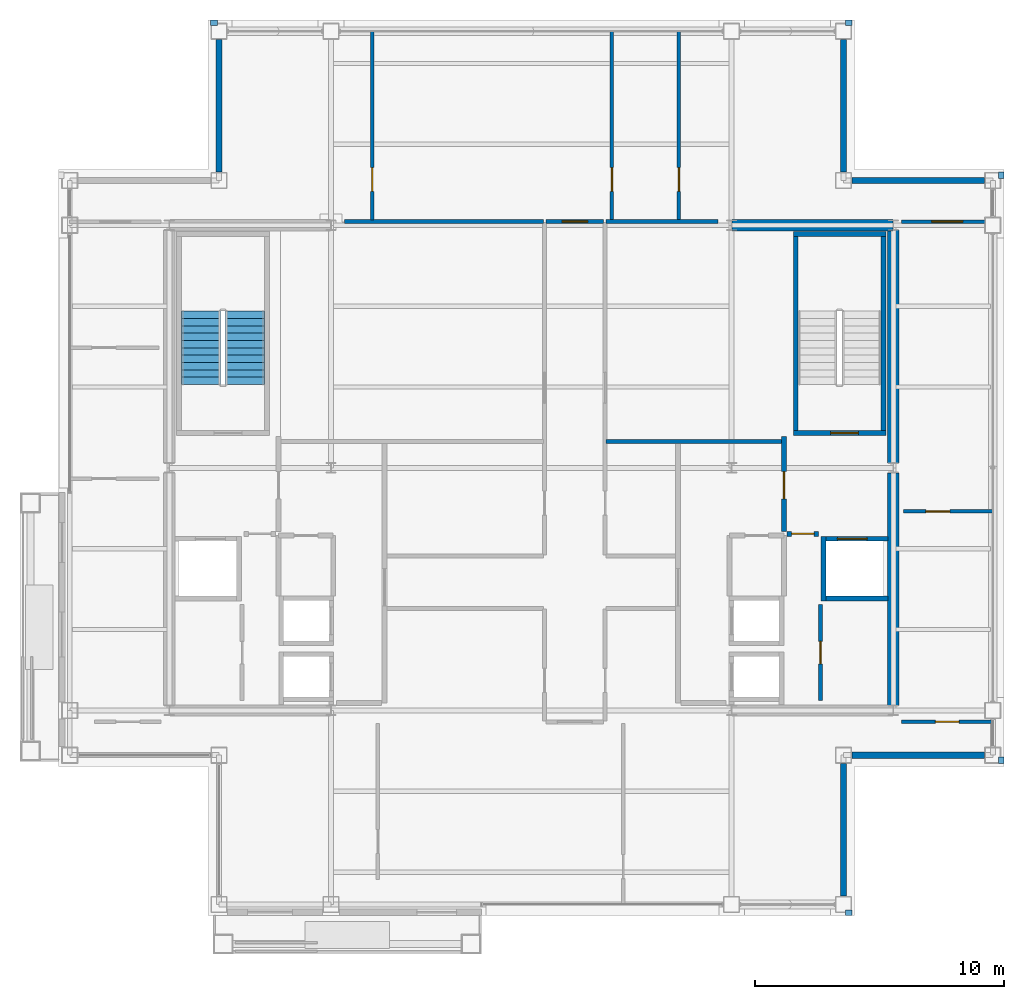
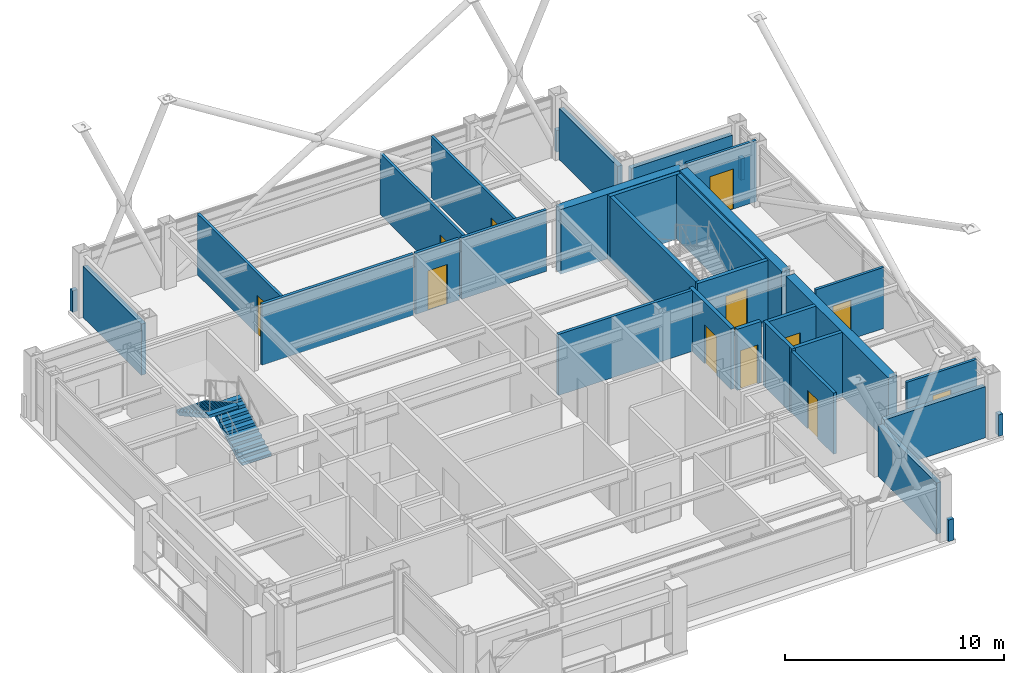
# One storey, part 23 of 26: 33 walls, 12 doors, 2 stair flights, 12 openings, 1 element without a shape of its own.
"""IFC4 building model written with IfcOpenShell, lengths in metres."""

from ifc_helpers import new_model, si_unit, direction, frame, frame_2d, origin, place, context, subcontext, project, spatial, polyline, rectangle, outline, extrude, material, layer, layer_set, type_object, element, fill, aggregate, save


model = new_model("IFC4")

# Units and contexts
model_context = context("Model", 3, precision=1e-05, world=origin(), true_north=direction((0.0, 1.0)))
body_context = subcontext(model_context, "Body", "Model", "MODEL_VIEW")
ifc_project = project(units=[si_unit("LENGTHUNIT", "METRE"), si_unit("AREAUNIT", "SQUARE_METRE"), si_unit("VOLUMEUNIT", "CUBIC_METRE"), si_unit("PLANEANGLEUNIT", "RADIAN"), si_unit("MASSUNIT", "GRAM", prefix="KILO")], contexts=[model_context])

# Site, building, storey
site_placement = place(None, origin())
site = spatial("IfcSite", under=ifc_project, at=site_placement, CompositionType="ELEMENT")
building_placement = place(site_placement, origin())
building = spatial("IfcBuilding", under=site, at=building_placement, Name="Brelmoor Portico Tower", CompositionType="ELEMENT")
storey_placement = place(building_placement, frame((0.0, 0.0, 247.199951171875)))
storey = spatial("IfcBuildingStorey", under=building, at=storey_placement, Name="L65", CompositionType="ELEMENT", Elevation=247.199951171875)

# Walls
ifc_material_1 = material(Name="Concrete C50", Category="concrete")
ifc_layer_1 = layer(ifc_material_1, 0.449951171875)
ifc_layer_set_1 = layer_set([ifc_layer_1], Name="Concrete C50")
wall_type_1 = type_object("IfcWallType", Name="WL-CORE-450", PredefinedType="SHEAR", material=ifc_layer_set_1)
wall_1_placement = place(storey_placement, frame((8.070068359375, 9.75, -0.199951171875), z_axis=(0.0, 0.0, 1.0), x_axis=(1.0, 0.0, 0.0)))
element("IfcWall", 1, at=wall_1_placement, inside=storey, type_object=wall_type_1, Name="L65 EC North Shear Wall", PredefinedType="SHEAR", context=body_context, shape_type="SweptSolid", body=[
    extrude(rectangle(XDim=6.4599609375, YDim=0.449951171875, at=frame_2d((3.22998046875, 0.0))), origin(), (0.0, 0.0, 1.0), 3.60009765625),
])
for number, where, z_axis, x_axis, name in (
    (2, (14.550048828125, -9.550048828125, -0.199951171875), (0.0, 0.0, 1.0), (0.0, 1.0, 0.0), "L65 EC Outer South Shear Wall"),
    (3, (14.550048828125, 0.199951171875, -0.199951171875), (0.0, 0.0, 1.0), (0.0, 1.0, 0.0), "L65 EC Outer North Shear Wall"),
):
    element("IfcWall", number, at=place(storey_placement, frame(where, z_axis=z_axis, x_axis=x_axis)), inside=storey, type_object=wall_type_1, Name=name, PredefinedType="SHEAR", context=body_context, shape_type="SweptSolid", body=[
        extrude(rectangle(XDim=9.35009765625, YDim=0.449951171875, at=frame_2d((4.675048828125, 0.0))), origin(), (0.0, 0.0, 1.0), 3.60009765625),
    ])
ifc_material_2 = material(Name="Precast Concrete C40 Insulated Facade Wall", Category="concrete")
ifc_layer_2 = layer(ifc_material_2, 0.25)
ifc_layer_set_2 = layer_set([ifc_layer_2], Name="Precast Concrete C40 Insulated Facade Wall")
wall_type_2 = type_object("IfcWallType", Name="WL-EXT-250", PredefinedType="STANDARD", material=ifc_layer_set_2)
for number, where, z_axis, x_axis, name in (
    (4, (12.885009765625, -11.550048828125, 0.0), (0.0, 0.0, 1.0), (1.0, 0.0, 0.0), "L65 Corner Notch Facade Wall NSEH1"),
    (5, (12.550048828125, -17.215087890625, 0.0), (0.0, 0.0, 1.0), (0.0, 1.0, 0.0), "L65 Corner Notch Facade Wall NSEV1"),
    (6, (-12.550048828125, 11.885009765625, 0.0), (0.0, 0.0, 1.0), (0.0, 1.0, 0.0), "L65 Corner Notch Facade Wall NNWV1"),
    (7, (12.885009765625, 11.550048828125, 0.0), (0.0, 0.0, 1.0), (1.0, 0.0, 0.0), "L65 Corner Notch Facade Wall NNEH1"),
    (8, (12.550048828125, 11.885009765625, 0.0), (0.0, 0.0, 1.0), (0.0, 1.0, 0.0), "L65 Corner Notch Facade Wall NNEV1"),
):
    element("IfcWall", number, at=place(storey_placement, frame(where, z_axis=z_axis, x_axis=x_axis)), inside=storey, type_object=wall_type_2, Name=name, PredefinedType="STANDARD", context=body_context, shape_type="SweptSolid", body=[
        extrude(rectangle(XDim=5.330078125, YDim=0.25, at=frame_2d((2.6650390625, 0.0))), origin(), (0.0, 0.0, 1.0), 2.85009765625),
    ])
ifc_material_3 = material(Name="Concrete C40 Parapet Upstand", Category="concrete")
ifc_layer_3 = layer(ifc_material_3, 0.219970703125)
ifc_layer_set_3 = layer_set([ifc_layer_3], Name="Concrete C40 Parapet Upstand")
wall_type_3 = type_object("IfcWallType", Name="WL-PARAPET-220", PredefinedType="PARAPET", material=ifc_layer_set_3)
for number, where, z_axis, x_axis, name in (
    (9, (12.6201171875, -17.889892578125, 0.0), (0.0, 0.0, 1.0), (1.0, 0.0, 0.0), "L65 Chamfer Vertex Parapet Pier SE1"),
    (10, (18.889892578125, -11.889892578125, 0.0), (0.0, 0.0, 1.0), (0.0, 1.0, 0.0), "L65 Chamfer Vertex Parapet Pier SE2"),
    (11, (-12.889892578125, 17.889892578125, 0.0), (0.0, 0.0, 1.0), (1.0, 0.0, 0.0), "L65 Chamfer Vertex Parapet Pier NW1"),
    (12, (12.6201171875, 17.889892578125, 0.0), (0.0, 0.0, 1.0), (1.0, 0.0, 0.0), "L65 Chamfer Vertex Parapet Pier NE1"),
    (13, (18.889892578125, 11.6201171875, 0.0), (0.0, 0.0, 1.0), (0.0, 1.0, 0.0), "L65 Chamfer Vertex Parapet Pier NE2"),
):
    element("IfcWall", number, at=place(storey_placement, frame(where, z_axis=z_axis, x_axis=x_axis)), inside=storey, type_object=wall_type_3, Name=name, PredefinedType="PARAPET", context=body_context, shape_type="SweptSolid", body=[
        extrude(rectangle(XDim=0.269775390625, YDim=0.219970703125, at=frame_2d((0.134765625, 0.0))), origin(), (0.0, 0.0, 1.0), 1.199951171875),
    ])

# Wall, opening, door
ifc_material_4 = material(Name="Insulated Stud Suite Partition", Category="gypsum")
ifc_layer_4 = layer(ifc_material_4, 0.139892578125)
ifc_layer_set_4 = layer_set([ifc_layer_4], Name="Insulated Stud Suite Partition")
wall_type_4 = type_object("IfcWallType", Name="WL-PART-140", PredefinedType="PARTITIONING", material=ifc_layer_set_4)
wall_2_placement = place(storey_placement, frame((-6.3896484375, 9.9599609375, 0.0), z_axis=(0.0, 0.0, 1.0), x_axis=(0.0, 1.0, 0.0)))
wall_2 = element("IfcWall", 14, at=wall_2_placement, inside=storey, type_object=wall_type_4, Name="L65 North Suite Partition 1", PredefinedType="PARTITIONING", context=body_context, shape_type="SweptSolid", body=[
    extrude(rectangle(XDim=7.60009765625, YDim=0.139892578125, at=frame_2d((3.800048828125, 0.0))), origin(), (0.0, 0.0, 1.0), 3.400146484375),
])
opening_1_placement = place(wall_2_placement, frame((1.14990234375, 0.0, 0.0)))
opening_1 = element("IfcOpeningElement", 15, at=opening_1_placement, cuts=wall_2, Name="Opening D-IN2", PredefinedType="OPENING", context=body_context, shape_type="SweptSolid", body=[
    extrude(rectangle(XDim=0.9599609375, YDim=2.179931640625, at=frame_2d((0.47998046875, 1.08984375))), frame((0.0, 0.079833984375, 0.0), z_axis=(0.0, -1.0, 0.0), x_axis=(1.0, 0.0, 0.0)), (0.0, 0.0, 1.0), 0.159912109375),
])
ifc_material_5 = material(Name="Lacquered Timber Suite Door", Category="wood")
door_type_1 = type_object("IfcDoorType", Name="DR-INT-950", OperationType="NOTDEFINED", PredefinedType="DOOR", material=ifc_material_5)
door_1_placement = place(opening_1_placement, origin())
door_1 = element("IfcDoor", 16, at=door_1_placement, inside=storey, type_object=door_type_1, Name="D-2688 L65 North Suite Connecting Door 1", OperationType="SINGLE_SWING_RIGHT", OverallHeight=2.179931640625, OverallWidth=0.9599609375, PredefinedType="DOOR", context=body_context, shape_type="SweptSolid", body=[
    extrude(rectangle(XDim=0.9599609375, YDim=2.179931640625, at=frame_2d((0.47998046875, 1.08984375))), frame((0.0, 0.02490234375, 0.0), z_axis=(0.0, -1.0, 0.0), x_axis=(1.0, 0.0, 0.0)), (0.0, 0.0, 1.0), 0.050048828125),
])
fill(opening_1, door_1)

wall_3_placement = place(storey_placement, frame((3.240966796875, 9.9599609375, 0.0), z_axis=(0.0, 0.0, 1.0), x_axis=(0.0, 1.0, 0.0)))
wall_3 = element("IfcWall", 17, at=wall_3_placement, inside=storey, type_object=wall_type_4, Name="L65 North Suite Partition 2", PredefinedType="PARTITIONING", context=body_context, shape_type="SweptSolid", body=[
    extrude(rectangle(XDim=7.60009765625, YDim=0.139892578125, at=frame_2d((3.800048828125, 0.0))), origin(), (0.0, 0.0, 1.0), 3.400146484375),
])
opening_2_placement = place(wall_3_placement, frame((1.14990234375, 0.0, 0.0)))
opening_2 = element("IfcOpeningElement", 18, at=opening_2_placement, cuts=wall_3, Name="Opening D-IN2", PredefinedType="OPENING", context=body_context, shape_type="SweptSolid", body=[
    extrude(rectangle(XDim=0.9599609375, YDim=2.179931640625, at=frame_2d((0.47998046875, 1.08984375))), frame((0.0, 0.079833984375, 0.0), z_axis=(0.0, -1.0, 0.0), x_axis=(1.0, 0.0, 0.0)), (0.0, 0.0, 1.0), 0.159912109375),
])
door_2_placement = place(opening_2_placement, origin())
door_2 = element("IfcDoor", 19, at=door_2_placement, inside=storey, type_object=door_type_1, Name="D-2689 L65 North Suite Connecting Door 2", OperationType="SINGLE_SWING_LEFT", OverallHeight=2.179931640625, OverallWidth=0.9599609375, PredefinedType="DOOR", context=body_context, shape_type="SweptSolid", body=[
    extrude(rectangle(XDim=0.9599609375, YDim=2.179931640625, at=frame_2d((0.47998046875, 1.08984375))), frame((0.0, 0.02490234375, 0.0), z_axis=(0.0, -1.0, 0.0), x_axis=(1.0, 0.0, 0.0)), (0.0, 0.0, 1.0), 0.050048828125),
])
fill(opening_2, door_2)

wall_4_placement = place(storey_placement, frame((5.93310546875, 9.9599609375, 0.0), z_axis=(0.0, 0.0, 1.0), x_axis=(0.0, 1.0, 0.0)))
wall_4 = element("IfcWall", 20, at=wall_4_placement, inside=storey, type_object=wall_type_4, Name="L65 North Suite Partition 3", PredefinedType="PARTITIONING", context=body_context, shape_type="SweptSolid", body=[
    extrude(rectangle(XDim=7.60009765625, YDim=0.139892578125, at=frame_2d((3.800048828125, 0.0))), origin(), (0.0, 0.0, 1.0), 3.400146484375),
])
opening_3_placement = place(wall_4_placement, frame((1.14990234375, 0.0, 0.0)))
opening_3 = element("IfcOpeningElement", 21, at=opening_3_placement, cuts=wall_4, Name="Opening D-IN2", PredefinedType="OPENING", context=body_context, shape_type="SweptSolid", body=[
    extrude(rectangle(XDim=0.9599609375, YDim=2.179931640625, at=frame_2d((0.47998046875, 1.08984375))), frame((0.0, 0.079833984375, 0.0), z_axis=(0.0, -1.0, 0.0), x_axis=(1.0, 0.0, 0.0)), (0.0, 0.0, 1.0), 0.159912109375),
])
door_3_placement = place(opening_3_placement, origin())
door_3 = element("IfcDoor", 22, at=door_3_placement, inside=storey, type_object=door_type_1, Name="D-2690 L65 North Suite Connecting Door 3", OperationType="SINGLE_SWING_RIGHT", OverallHeight=2.179931640625, OverallWidth=0.9599609375, PredefinedType="DOOR", context=body_context, shape_type="SweptSolid", body=[
    extrude(rectangle(XDim=0.9599609375, YDim=2.179931640625, at=frame_2d((0.47998046875, 1.08984375))), frame((0.0, 0.02490234375, 0.0), z_axis=(0.0, -1.0, 0.0), x_axis=(1.0, 0.0, 0.0)), (0.0, 0.0, 1.0), 0.050048828125),
])
fill(opening_3, door_3)

wall_5_placement = place(storey_placement, frame((14.8798828125, 9.89990234375, 0.0), z_axis=(0.0, 0.0, 1.0), x_axis=(1.0, 0.0, 0.0)))
wall_5 = element("IfcWall", 23, at=wall_5_placement, inside=storey, type_object=wall_type_4, Name="L65 North Wing Suite Wall ER", PredefinedType="PARTITIONING", context=body_context, shape_type="SweptSolid", body=[
    extrude(rectangle(XDim=3.68017578125, YDim=0.139892578125, at=frame_2d((1.840087890625, 0.0))), origin(), (0.0, 0.0, 1.0), 3.400146484375),
])
opening_4_placement = place(wall_5_placement, frame((1.219970703125, 0.0, 0.0)))
opening_4 = element("IfcOpeningElement", 24, at=opening_4_placement, cuts=wall_5, Name="Opening D-SU1", PredefinedType="OPENING", context=body_context, shape_type="SweptSolid", body=[
    extrude(rectangle(XDim=1.239990234375, YDim=2.239990234375, at=frame_2d((0.6201171875, 1.1201171875))), frame((0.0, 0.079833984375, 0.0), z_axis=(0.0, -1.0, 0.0), x_axis=(1.0, 0.0, 0.0)), (0.0, 0.0, 1.0), 0.159912109375),
])
ifc_material_6 = material(Name="Glazed Timber Executive Suite Door", Category="wood")
door_type_2 = type_object("IfcDoorType", Name="DR-SUITE-1200", OperationType="NOTDEFINED", PredefinedType="DOOR", material=ifc_material_6)
door_4_placement = place(opening_4_placement, origin())
door_4 = element("IfcDoor", 25, at=door_4_placement, inside=storey, type_object=door_type_2, Name="D-2691 L65 ER Wing Suite Connecting Door", OperationType="SINGLE_SWING_LEFT", OverallHeight=2.239990234375, OverallWidth=1.239990234375, PredefinedType="DOOR", context=body_context, shape_type="SweptSolid", body=[
    extrude(rectangle(XDim=1.239990234375, YDim=2.239990234375, at=frame_2d((0.6201171875, 1.1201171875))), frame((0.0, 0.02490234375, 0.0), z_axis=(0.0, -1.0, 0.0), x_axis=(1.0, 0.0, 0.0)), (0.0, 0.0, 1.0), 0.050048828125),
])
fill(opening_4, door_4)

wall_6_placement = place(storey_placement, frame((14.8798828125, -10.2099609375, 0.0), z_axis=(0.0, 0.0, 1.0), x_axis=(1.0, 0.0, 0.0)))
wall_6 = element("IfcWall", 26, at=wall_6_placement, inside=storey, type_object=wall_type_4, Name="L65 South Wing Closure ER", PredefinedType="PARTITIONING", context=body_context, shape_type="SweptSolid", body=[
    extrude(rectangle(XDim=3.68017578125, YDim=0.139892578125, at=frame_2d((1.840087890625, 0.0))), origin(), (0.0, 0.0, 1.0), 3.400146484375),
])
opening_5_placement = place(wall_6_placement, frame((1.360107421875, 0.0, 0.0)))
opening_5 = element("IfcOpeningElement", 27, at=opening_5_placement, cuts=wall_6, Name="Opening D-IN2", PredefinedType="OPENING", context=body_context, shape_type="SweptSolid", body=[
    extrude(rectangle(XDim=0.9599609375, YDim=2.179931640625, at=frame_2d((0.47998046875, 1.08984375))), frame((0.0, 0.079833984375, 0.0), z_axis=(0.0, -1.0, 0.0), x_axis=(1.0, 0.0, 0.0)), (0.0, 0.0, 1.0), 0.159912109375),
])
door_5_placement = place(opening_5_placement, origin())
door_5 = element("IfcDoor", 28, at=door_5_placement, inside=storey, type_object=door_type_1, Name="D-2698 L65 ER Wing South Suite Door", OperationType="SINGLE_SWING_LEFT", OverallHeight=2.179931640625, OverallWidth=0.9599609375, PredefinedType="DOOR", context=body_context, shape_type="SweptSolid", body=[
    extrude(rectangle(XDim=0.9599609375, YDim=2.179931640625, at=frame_2d((0.47998046875, 1.08984375))), frame((0.0, 0.02490234375, 0.0), z_axis=(0.0, -1.0, 0.0), x_axis=(1.0, 0.0, 0.0)), (0.0, 0.0, 1.0), 0.050048828125),
])
fill(opening_5, door_5)

wall_7_placement = place(storey_placement, frame((14.9599609375, -1.7509765625, 0.0), z_axis=(0.0, 0.0, 1.0), x_axis=(1.0, 0.0, 0.0)))
wall_7 = element("IfcWall", 29, at=wall_7_placement, inside=storey, type_object=wall_type_4, Name="L65 E Wing Partition 1", PredefinedType="PARTITIONING", context=body_context, shape_type="SweptSolid", body=[
    extrude(rectangle(XDim=3.60009765625, YDim=0.139892578125, at=frame_2d((1.800048828125, 0.0))), origin(), (0.0, 0.0, 1.0), 3.400146484375),
])
opening_6_placement = place(wall_7_placement, frame((0.89990234375, 0.0, 0.0)))
opening_6 = element("IfcOpeningElement", 30, at=opening_6_placement, cuts=wall_7, Name="Opening D-IN2", PredefinedType="OPENING", context=body_context, shape_type="SweptSolid", body=[
    extrude(rectangle(XDim=0.9599609375, YDim=2.179931640625, at=frame_2d((0.47998046875, 1.08984375))), frame((0.0, 0.079833984375, 0.0), z_axis=(0.0, -1.0, 0.0), x_axis=(1.0, 0.0, 0.0)), (0.0, 0.0, 1.0), 0.159912109375),
])
door_6_placement = place(opening_6_placement, origin())
door_6 = element("IfcDoor", 31, at=door_6_placement, inside=storey, type_object=door_type_1, Name="D-2702 L65 E Wing Suite Connecting Door 1", OperationType="SINGLE_SWING_RIGHT", OverallHeight=2.179931640625, OverallWidth=0.9599609375, PredefinedType="DOOR", context=body_context, shape_type="SweptSolid", body=[
    extrude(rectangle(XDim=0.9599609375, YDim=2.179931640625, at=frame_2d((0.47998046875, 1.08984375))), frame((0.0, 0.02490234375, 0.0), z_axis=(0.0, -1.0, 0.0), x_axis=(1.0, 0.0, 0.0)), (0.0, 0.0, 1.0), 0.050048828125),
])
fill(opening_6, door_6)

ifc_material_7 = material(Name="Twin-Frame Acoustic Partition", Category="gypsum")
ifc_layer_5 = layer(ifc_material_7, 0.159912109375)
ifc_layer_set_5 = layer_set([ifc_layer_5], Name="Twin-Frame Acoustic Partition")
wall_type_5 = type_object("IfcWallType", Name="WL-PART-160", PredefinedType="PARTITIONING", material=ifc_layer_set_5)
wall_8_placement = place(storey_placement, frame((11.6201171875, -9.35009765625, 0.0), z_axis=(0.0, 0.0, 1.0), x_axis=(0.0, 1.0, 0.0)))
wall_8 = element("IfcWall", 32, at=wall_8_placement, inside=storey, type_object=wall_type_5, Name="L65 E Core Service Front Wall", PredefinedType="PARTITIONING", context=body_context, shape_type="SweptSolid", body=[
    extrude(rectangle(XDim=3.85009765625, YDim=0.159912109375, at=frame_2d((1.925048828125, 0.0))), origin(), (0.0, 0.0, 1.0), 3.400146484375),
])
opening_7_placement = place(wall_8_placement, frame((1.47509765625, 0.0, 0.0)))
opening_7 = element("IfcOpeningElement", 33, at=opening_7_placement, cuts=wall_8, Name="Opening D-IN1", PredefinedType="OPENING", context=body_context, shape_type="SweptSolid", body=[
    extrude(rectangle(XDim=0.89990234375, YDim=2.14990234375, at=frame_2d((0.449951171875, 1.074951171875))), frame((0.0, 0.08984375, 0.0), z_axis=(0.0, -1.0, 0.0), x_axis=(1.0, 0.0, 0.0)), (0.0, 0.0, 1.0), 0.179931640625),
])
door_type_3 = type_object("IfcDoorType", Name="DR-INT-900", OperationType="NOTDEFINED", PredefinedType="DOOR", material=ifc_material_5)
door_7_placement = place(opening_7_placement, origin())
door_7 = element("IfcDoor", 34, at=door_7_placement, inside=storey, type_object=door_type_3, Name="D-2677 L65 E Male WC Door", OperationType="SINGLE_SWING_LEFT", OverallHeight=2.14990234375, OverallWidth=0.89990234375, PredefinedType="DOOR", context=body_context, shape_type="SweptSolid", body=[
    extrude(rectangle(XDim=0.89990234375, YDim=2.14990234375, at=frame_2d((0.449951171875, 1.074951171875))), frame((0.0, 0.02490234375, 0.0), z_axis=(0.0, -1.0, 0.0), x_axis=(1.0, 0.0, 0.0)), (0.0, 0.0, 1.0), 0.050048828125),
])
fill(opening_7, door_7)

# Walls
wall_9_placement = place(storey_placement, frame((-7.5, 9.89990234375, 0.0), z_axis=(0.0, 0.0, 1.0), x_axis=(1.0, 0.0, 0.0)))
element("IfcWall", 35, at=wall_9_placement, inside=storey, type_object=wall_type_5, Name="L65 West Reclaimed Suite North Wall", PredefinedType="PARTITIONING", context=body_context, shape_type="SweptSolid", body=[
    extrude(rectangle(XDim=7.989990234375, YDim=0.159912109375, at=frame_2d((3.9951171875, 0.0))), origin(), (0.0, 0.0, 1.0), 3.400146484375),
])
wall_10_placement = place(storey_placement, frame((3.010009765625, 1.050048828125, 0.0), z_axis=(0.0, 0.0, 1.0), x_axis=(1.0, 0.0, 0.0)))
element("IfcWall", 36, at=wall_10_placement, inside=storey, type_object=wall_type_5, Name="L65 East Suite South Wall", PredefinedType="PARTITIONING", context=body_context, shape_type="SweptSolid", body=[
    extrude(rectangle(XDim=7.050048828125, YDim=0.159912109375, at=frame_2d((3.52490234375, 0.0))), origin(), (0.0, 0.0, 1.0), 3.400146484375),
])
wall_11_placement = place(storey_placement, frame((3.010009765625, 9.89990234375, 0.0), z_axis=(0.0, 0.0, 1.0), x_axis=(1.0, 0.0, 0.0)))
element("IfcWall", 37, at=wall_11_placement, inside=storey, type_object=wall_type_5, Name="L65 East Suite North Wall", PredefinedType="PARTITIONING", context=body_context, shape_type="SweptSolid", body=[
    extrude(rectangle(XDim=4.489990234375, YDim=0.159912109375, at=frame_2d((2.2451171875, 0.0))), origin(), (0.0, 0.0, 1.0), 3.400146484375),
])

# Wall, opening, door
wall_12_placement = place(storey_placement, frame((0.60009765625, 9.89990234375, 0.0), z_axis=(0.0, 0.0, 1.0), x_axis=(1.0, 0.0, 0.0)))
wall_12 = element("IfcWall", 38, at=wall_12_placement, inside=storey, type_object=wall_type_5, Name="L65 North Corridor Partition", PredefinedType="PARTITIONING", context=body_context, shape_type="SweptSolid", body=[
    extrude(rectangle(XDim=2.2998046875, YDim=0.159912109375, at=frame_2d((1.14990234375, 0.0))), origin(), (0.0, 0.0, 1.0), 3.400146484375),
])
opening_8_placement = place(wall_12_placement, frame((0.639892578125, 0.0, 0.0)))
opening_8 = element("IfcOpeningElement", 39, at=opening_8_placement, cuts=wall_12, Name="Opening D-OF1", PredefinedType="OPENING", context=body_context, shape_type="SweptSolid", body=[
    extrude(rectangle(XDim=1.02001953125, YDim=2.199951171875, at=frame_2d((0.510009765625, 1.10009765625))), frame((0.0, 0.08984375, 0.0), z_axis=(0.0, -1.0, 0.0), x_axis=(1.0, 0.0, 0.0)), (0.0, 0.0, 1.0), 0.179931640625),
])
ifc_material_8 = material(Name="Hardwood Acoustic Veneer Door", Category="wood")
door_type_4 = type_object("IfcDoorType", Name="DR-OFFICE-1000", OperationType="NOTDEFINED", PredefinedType="DOOR", material=ifc_material_8)
door_8_placement = place(opening_8_placement, origin())
door_8 = element("IfcDoor", 40, at=door_8_placement, inside=storey, type_object=door_type_4, Name="D-2687 L65 North Design Workshop 2 Door", OperationType="SINGLE_SWING_LEFT", OverallHeight=2.199951171875, OverallWidth=1.02001953125, PredefinedType="DOOR", context=body_context, shape_type="SweptSolid", body=[
    extrude(rectangle(XDim=1.02001953125, YDim=2.199951171875, at=frame_2d((0.510009765625, 1.10009765625))), frame((0.0, 0.02490234375, 0.0), z_axis=(0.0, -1.0, 0.0), x_axis=(1.0, 0.0, 0.0)), (0.0, 0.0, 1.0), 0.050048828125),
])
fill(opening_8, door_8)

ifc_material_9 = material(Name="Double-Stud Gypsum Fire Partition", Category="gypsum")
ifc_layer_6 = layer(ifc_material_9, 0.199951171875)
ifc_layer_set_6 = layer_set([ifc_layer_6], Name="Double-Stud Gypsum Fire Partition")
wall_type_6 = type_object("IfcWallType", Name="WL-PART-200", PredefinedType="PARTITIONING", material=ifc_layer_set_6)
wall_13_placement = place(storey_placement, frame((10.159912109375, -2.550048828125, 0.0), z_axis=(0.0, 0.0, 1.0), x_axis=(0.0, 1.0, 0.0)))
wall_13 = element("IfcWall", 41, at=wall_13_placement, inside=storey, type_object=wall_type_6, Name="L65 E Firefighting Lobby Wall", PredefinedType="PARTITIONING", context=body_context, shape_type="SweptSolid", body=[
    extrude(rectangle(XDim=3.800048828125, YDim=0.199951171875, at=frame_2d((1.89990234375, 0.0))), origin(), (0.0, 0.0, 1.0), 3.400146484375),
])
opening_9_placement = place(wall_13_placement, frame((1.300048828125, 0.0, 0.0)))
opening_9 = element("IfcOpeningElement", 42, at=opening_9_placement, cuts=wall_13, Name="Opening D-FR1", PredefinedType="OPENING", context=body_context, shape_type="SweptSolid", body=[
    extrude(rectangle(XDim=1.10009765625, YDim=2.14990234375, at=frame_2d((0.550048828125, 1.074951171875))), frame((0.0, 0.10986328125, 0.0), z_axis=(0.0, -1.0, 0.0), x_axis=(1.0, 0.0, 0.0)), (0.0, 0.0, 1.0), 0.219970703125),
])
ifc_material_10 = material(Name="Painted Galvanised Steel Fire Door", Category="steel")
door_type_5 = type_object("IfcDoorType", Name="DR-FIRE-1100", OperationType="NOTDEFINED", PredefinedType="DOOR", material=ifc_material_10)
door_9_placement = place(opening_9_placement, origin())
door_9 = element("IfcDoor", 43, at=door_9_placement, inside=storey, type_object=door_type_5, Name="D-2683 L65 E Firefighting Lobby Door", OperationType="SINGLE_SWING_RIGHT", OverallHeight=2.14990234375, OverallWidth=1.10009765625, PredefinedType="DOOR", context=body_context, shape_type="SweptSolid", body=[
    extrude(rectangle(XDim=1.10009765625, YDim=2.14990234375, at=frame_2d((0.550048828125, 1.074951171875))), frame((0.0, 0.02490234375, 0.0), z_axis=(0.0, -1.0, 0.0), x_axis=(1.0, 0.0, 0.0)), (0.0, 0.0, 1.0), 0.050048828125),
])
fill(opening_9, door_9)

wall_14_placement = place(storey_placement, frame((10.280029296875, -2.64990234375, 0.0), z_axis=(0.0, 0.0, 1.0), x_axis=(1.0, 0.0, 0.0)))
wall_14 = element("IfcWall", 44, at=wall_14_placement, inside=storey, type_object=wall_type_6, Name="L65 E Firefighting Lobby South Wall", PredefinedType="PARTITIONING", context=body_context, shape_type="SweptSolid", body=[
    extrude(rectangle(XDim=1.27001953125, YDim=0.199951171875, at=frame_2d((0.635009765625, 0.0))), origin(), (0.0, 0.0, 1.0), 3.400146484375),
])
opening_10_placement = place(wall_14_placement, frame((0.18505859375, 0.0, 0.0)))
opening_10 = element("IfcOpeningElement", 45, at=opening_10_placement, cuts=wall_14, Name="Opening D-IN1", PredefinedType="OPENING", context=body_context, shape_type="SweptSolid", body=[
    extrude(rectangle(XDim=0.89990234375, YDim=2.14990234375, at=frame_2d((0.449951171875, 1.074951171875))), frame((0.0, 0.10986328125, 0.0), z_axis=(0.0, -1.0, 0.0), x_axis=(1.0, 0.0, 0.0)), (0.0, 0.0, 1.0), 0.219970703125),
])
door_10_placement = place(opening_10_placement, origin())
door_10 = element("IfcDoor", 46, at=door_10_placement, inside=storey, type_object=door_type_3, Name="D-2678 L65 E Core Service Vestibule Door", OperationType="SINGLE_SWING_LEFT", OverallHeight=2.14990234375, OverallWidth=0.89990234375, PredefinedType="DOOR", context=body_context, shape_type="SweptSolid", body=[
    extrude(rectangle(XDim=0.89990234375, YDim=2.14990234375, at=frame_2d((0.449951171875, 1.074951171875))), frame((0.0, 0.02490234375, 0.0), z_axis=(0.0, -1.0, 0.0), x_axis=(1.0, 0.0, 0.0)), (0.0, 0.0, 1.0), 0.050048828125),
])
fill(opening_10, door_10)

ifc_material_11 = material(Name="Precast Concrete C40", Category="concrete")
ifc_layer_7 = layer(ifc_material_11, 0.18994140625)
ifc_layer_set_7 = layer_set([ifc_layer_7], Name="Precast Concrete C40")
wall_type_7 = type_object("IfcWallType", Name="WL-SHAFT-180", PredefinedType="SOLIDWALL", material=ifc_layer_set_7)
wall_15_placement = place(storey_placement, frame((11.64990234375, -2.844970703125, -0.199951171875), z_axis=(0.0, 0.0, 1.0), x_axis=(1.0, 0.0, 0.0)))
wall_15 = element("IfcWall", 47, at=wall_15_placement, inside=storey, type_object=wall_type_7, Name="L65 Lift FF2 Hoistway Front Wall", PredefinedType="SOLIDWALL", context=body_context, shape_type="SweptSolid", body=[
    extrude(rectangle(XDim=2.68017578125, YDim=0.18994140625, at=frame_2d((1.340087890625, 0.0))), origin(), (0.0, 0.0, 1.0), 3.60009765625),
])
opening_11_placement = place(wall_15_placement, frame((0.64990234375, 0.0, 0.199951171875)))
opening_11 = element("IfcOpeningElement", 48, at=opening_11_placement, cuts=wall_15, Name="Opening LD-02", PredefinedType="OPENING", context=body_context, shape_type="SweptSolid", body=[
    extrude(rectangle(XDim=1.199951171875, YDim=2.199951171875, at=frame_2d((0.60009765625, 1.10009765625))), frame((0.0, 0.10498046875, 0.0), z_axis=(0.0, -1.0, 0.0), x_axis=(1.0, 0.0, 0.0)), (0.0, 0.0, 1.0), 0.2099609375),
])
ifc_material_12 = material(Name="Brushed Stainless Steel Firefighting Lift Door", Category="steel")
door_type_6 = type_object("IfcDoorType", Name="DR-LIFT-1200", OperationType="NOTDEFINED", PredefinedType="DOOR", material=ifc_material_12)
door_11_placement = place(opening_11_placement, origin())
door_11 = element("IfcDoor", 49, at=door_11_placement, inside=storey, type_object=door_type_6, Name="D-2706 L65 Lift FF2 Sliding Landing Door", OperationType="SLIDING_TO_LEFT", OverallHeight=2.199951171875, OverallWidth=1.199951171875, PredefinedType="DOOR", context=body_context, shape_type="SweptSolid", body=[
    extrude(rectangle(XDim=1.199951171875, YDim=2.199951171875, at=frame_2d((0.60009765625, 1.10009765625))), frame((0.0, 0.02490234375, 0.0), z_axis=(0.0, -1.0, 0.0), x_axis=(1.0, 0.0, 0.0)), (0.0, 0.0, 1.0), 0.050048828125),
])
fill(opening_11, door_11)

# Walls
wall_16_placement = place(storey_placement, frame((11.64990234375, -5.2548828125, -0.199951171875), z_axis=(0.0, 0.0, 1.0), x_axis=(1.0, 0.0, 0.0)))
element("IfcWall", 50, at=wall_16_placement, inside=storey, type_object=wall_type_7, Name="L65 Firefighting Lift FF2 South Wall", PredefinedType="SOLIDWALL", context=body_context, shape_type="SweptSolid", body=[
    extrude(rectangle(XDim=2.68017578125, YDim=0.18994140625, at=frame_2d((1.340087890625, 0.0))), origin(), (0.0, 0.0, 1.0), 3.60009765625),
])
wall_17_placement = place(storey_placement, frame((11.7451171875, -5.35009765625, -0.199951171875), z_axis=(0.0, 0.0, 1.0), x_axis=(0.0, 1.0, 0.0)))
element("IfcWall", 51, at=wall_17_placement, inside=storey, type_object=wall_type_7, Name="L65 Firefighting Lift FF2 Inner Wall", PredefinedType="SOLIDWALL", context=body_context, shape_type="SweptSolid", body=[
    extrude(rectangle(XDim=2.60009765625, YDim=0.18994140625, at=frame_2d((1.300048828125, 0.0))), origin(), (0.0, 0.0, 1.0), 3.60009765625),
])
ifc_material_13 = material(Name="Concrete C40", Category="concrete")
ifc_layer_8 = layer(ifc_material_13, 0.199951171875)
ifc_layer_set_8 = layer_set([ifc_layer_8], Name="Concrete C40")
wall_type_8 = type_object("IfcWallType", Name="WL-SHAFT-RC200", PredefinedType="SOLIDWALL", material=ifc_layer_set_8)
wall_18_placement = place(storey_placement, frame((14.14990234375, 1.5, -0.199951171875), z_axis=(0.0, 0.0, 1.0), x_axis=(0.0, 1.0, 0.0)))
element("IfcWall", 52, at=wall_18_placement, inside=storey, type_object=wall_type_8, Name="L65 ST-E Structural Stair Wall Outer", PredefinedType="SOLIDWALL", context=body_context, shape_type="SweptSolid", body=[
    extrude(rectangle(XDim=7.800048828125, YDim=0.199951171875, at=frame_2d((3.89990234375, 0.0))), origin(), (0.0, 0.0, 1.0), 3.60009765625),
])

# Wall, opening, door
wall_19_placement = place(storey_placement, frame((10.530029296875, 1.39990234375, -0.199951171875), z_axis=(0.0, 0.0, 1.0), x_axis=(1.0, 0.0, 0.0)))
wall_19 = element("IfcWall", 53, at=wall_19_placement, inside=storey, type_object=wall_type_8, Name="L65 ST-E Structural Stair Wall S", PredefinedType="SOLIDWALL", context=body_context, shape_type="SweptSolid", body=[
    extrude(rectangle(XDim=3.719970703125, YDim=0.199951171875, at=frame_2d((1.85986328125, 0.0))), origin(), (0.0, 0.0, 1.0), 3.60009765625),
])
opening_12_placement = place(wall_19_placement, frame((1.5, 0.0, 0.199951171875)))
opening_12 = element("IfcOpeningElement", 54, at=opening_12_placement, cuts=wall_19, Name="Opening D-ST1", PredefinedType="OPENING", context=body_context, shape_type="SweptSolid", body=[
    extrude(rectangle(XDim=1.1201171875, YDim=2.179931640625, at=frame_2d((0.56005859375, 1.08984375))), frame((0.0, 0.10986328125, 0.0), z_axis=(0.0, -1.0, 0.0), x_axis=(1.0, 0.0, 0.0)), (0.0, 0.0, 1.0), 0.219970703125),
])
door_type_7 = type_object("IfcDoorType", Name="DR-STAIR-1100", OperationType="NOTDEFINED", PredefinedType="DOOR", material=ifc_material_10)
door_12_placement = place(opening_12_placement, origin())
door_12 = element("IfcDoor", 55, at=door_12_placement, inside=storey, type_object=door_type_7, Name="D-2696 L65 ST-E Protected Exit Stair Door", OperationType="SINGLE_SWING_RIGHT", OverallHeight=2.179931640625, OverallWidth=1.1201171875, PredefinedType="DOOR", context=body_context, shape_type="SweptSolid", body=[
    extrude(rectangle(XDim=1.1201171875, YDim=2.179931640625, at=frame_2d((0.56005859375, 1.08984375))), frame((0.0, 0.02490234375, 0.0), z_axis=(0.0, -1.0, 0.0), x_axis=(1.0, 0.0, 0.0)), (0.0, 0.0, 1.0), 0.050048828125),
])
fill(opening_12, door_12)

# Walls
wall_20_placement = place(storey_placement, frame((10.530029296875, 9.39990234375, -0.199951171875), z_axis=(0.0, 0.0, 1.0), x_axis=(1.0, 0.0, 0.0)))
element("IfcWall", 56, at=wall_20_placement, inside=storey, type_object=wall_type_8, Name="L65 ST-E Structural Stair Wall N", PredefinedType="SOLIDWALL", context=body_context, shape_type="SweptSolid", body=[
    extrude(rectangle(XDim=3.719970703125, YDim=0.199951171875, at=frame_2d((1.85986328125, 0.0))), origin(), (0.0, 0.0, 1.0), 3.60009765625),
])
wall_21_placement = place(storey_placement, frame((10.6298828125, 1.5, -0.199951171875), z_axis=(0.0, 0.0, 1.0), x_axis=(0.0, 1.0, 0.0)))
element("IfcWall", 57, at=wall_21_placement, inside=storey, type_object=wall_type_8, Name="L65 ST-E Structural Stair Wall Inner", PredefinedType="SOLIDWALL", context=body_context, shape_type="SweptSolid", body=[
    extrude(rectangle(XDim=7.800048828125, YDim=0.199951171875, at=frame_2d((3.89990234375, 0.0))), origin(), (0.0, 0.0, 1.0), 3.60009765625),
])

# Stair, stair flights
stair_type = type_object("IfcStairType", Name="ST-CORE-W", PredefinedType="HALF_TURN_STAIR", material=ifc_material_13)
stair_placement = place(storey_placement, origin())
stair = element("IfcStair", 58, at=stair_placement, inside=storey, type_object=stair_type, Name="L65 Protected Core Exit Stair ST-W", PredefinedType="HALF_TURN_STAIR")
stair_flight_type = type_object("IfcStairFlightType", Name="SF-CORE-1850", PredefinedType="STRAIGHT", material=ifc_material_13)
stair_flight_1_placement = place(storey_placement, frame((-11.510009765625, 3.35009765625, 0.0), z_axis=(0.0, 0.0, 1.0), x_axis=(0.0, 1.0, 0.0)))
stair_flight_1 = element("IfcStairFlight", 59, at=stair_flight_1_placement, type_object=stair_flight_type, Name="ST-W flight 1", NumberOfRisers=11, NumberOfTreads=10, PredefinedType="STRAIGHT", RiserHeight=0.163636364, TreadLength=0.295, context=body_context, shape_type="SweptSolid", body=[
    extrude(outline(polyline([(0.0, 0.0), (0.0, 0.16357421875), (0.294921875, 0.16357421875), (0.294921875, 0.327392578125), (0.590087890625, 0.327392578125), (0.590087890625, 0.490966796875), (0.885009765625, 0.490966796875), (0.885009765625, 0.654541015625), (1.179931640625, 0.654541015625), (1.179931640625, 0.818115234375), (1.47509765625, 0.818115234375), (1.47509765625, 0.98193359375), (1.77001953125, 0.98193359375), (1.77001953125, 1.1455078125), (2.06494140625, 1.1455078125), (2.06494140625, 1.30908203125), (2.360107421875, 1.30908203125), (2.360107421875, 1.47265625), (2.655029296875, 1.47265625), (2.655029296875, 1.636474609375), (2.949951171875, 1.636474609375), (2.949951171875, 1.800048828125), (2.949951171875, 1.46484375), (0.30908203125, 0.0), (0.0, 0.0)])), frame((0.0, 0.780029296875, 0.0), z_axis=(0.0, -1.0, 0.0), x_axis=(1.0, 0.0, 0.0)), (0.0, 0.0, 1.0), 1.56005859375),
])
stair_flight_2_placement = place(storey_placement, frame((-13.27001953125, 6.300048828125, 1.800048828125), z_axis=(0.0, 0.0, 1.0), x_axis=(0.0, -1.0, 0.0)))
stair_flight_2 = element("IfcStairFlight", 60, at=stair_flight_2_placement, type_object=stair_flight_type, Name="ST-W flight 2", NumberOfRisers=11, NumberOfTreads=10, PredefinedType="STRAIGHT", RiserHeight=0.163636364, TreadLength=0.295, context=body_context, shape_type="SweptSolid", body=[
    extrude(outline(polyline([(0.0, 0.0), (0.0, 0.16357421875), (0.294921875, 0.16357421875), (0.294921875, 0.327392578125), (0.590087890625, 0.327392578125), (0.590087890625, 0.490966796875), (0.885009765625, 0.490966796875), (0.885009765625, 0.654541015625), (1.179931640625, 0.654541015625), (1.179931640625, 0.818115234375), (1.47509765625, 0.818115234375), (1.47509765625, 0.98193359375), (1.77001953125, 0.98193359375), (1.77001953125, 1.1455078125), (2.06494140625, 1.1455078125), (2.06494140625, 1.30908203125), (2.360107421875, 1.30908203125), (2.360107421875, 1.47265625), (2.655029296875, 1.47265625), (2.655029296875, 1.636474609375), (2.949951171875, 1.636474609375), (2.949951171875, 1.800048828125), (2.949951171875, 1.46484375), (0.30908203125, 0.0), (0.0, 0.0)])), frame((0.0, 0.780029296875, 0.0), z_axis=(0.0, -1.0, 0.0), x_axis=(1.0, 0.0, 0.0)), (0.0, 0.0, 1.0), 1.56005859375),
])
aggregate(stair, [stair_flight_1, stair_flight_2])

save(model, "model.ifc")
